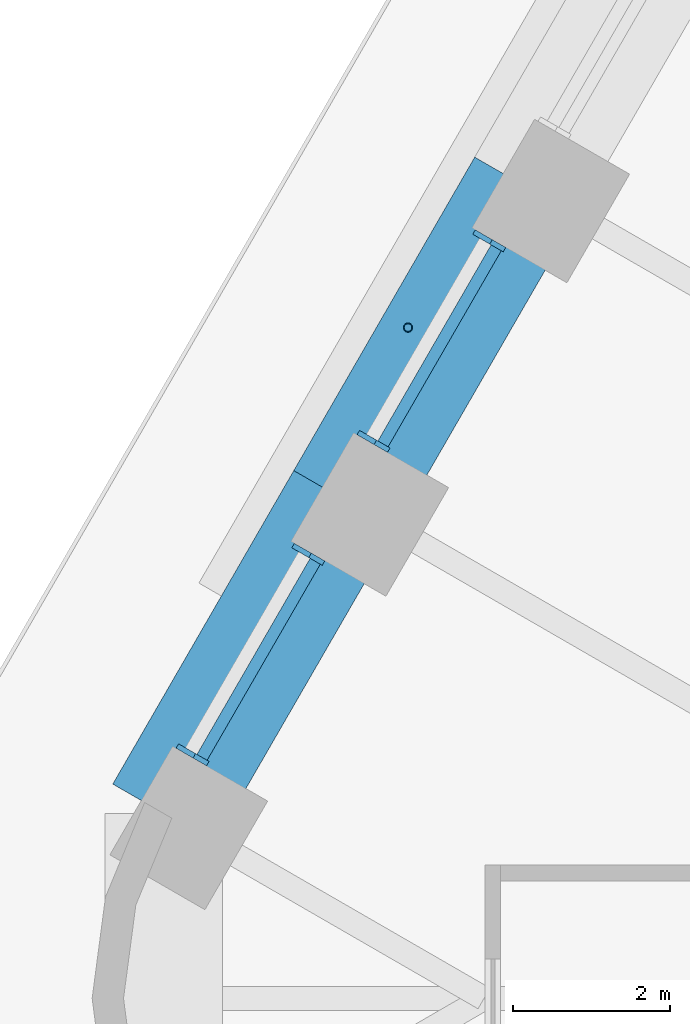
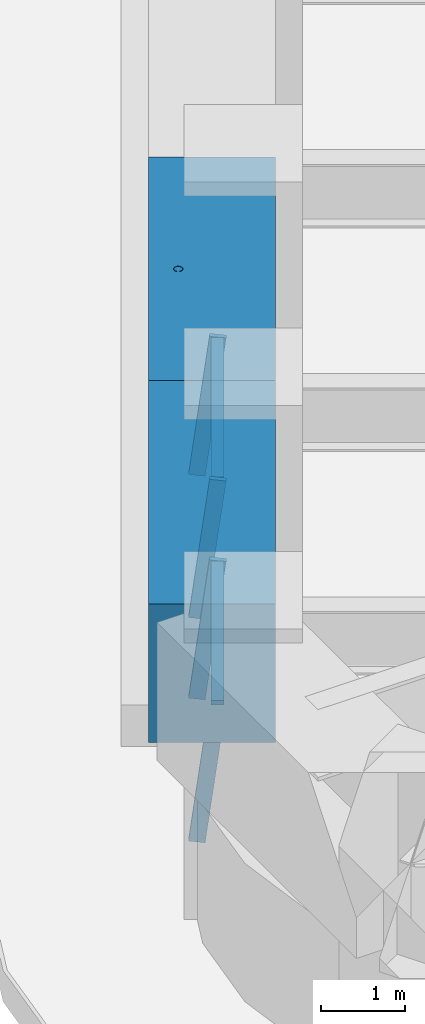
# One storey, part 6 of 20: 7 members, 2 beams, 2 elements without a shape of their own.
"""IFC4 building model written with IfcOpenShell, lengths in metres."""

from ifc_helpers import new_model, si_unit, direction, frame, origin, origin_2d, place, context, subcontext, project, spatial, rectangle, hollow_circle, extrude, material, material_profile, profile_set, type_object, element, aggregate, save


model = new_model("IFC4")

# Units and contexts
model_context = context("Model", 3, precision=1e-05, world=origin(), true_north=direction((0.0, 1.0)))
body_context = subcontext(model_context, "Body", "Model", "MODEL_VIEW")
ifc_project = project(units=[si_unit("LENGTHUNIT", "METRE"), si_unit("AREAUNIT", "SQUARE_METRE"), si_unit("VOLUMEUNIT", "CUBIC_METRE"), si_unit("PLANEANGLEUNIT", "RADIAN"), si_unit("MASSUNIT", "GRAM", prefix="KILO")], contexts=[model_context])

# Site, building, storey
site_placement = place(None, origin())
site = spatial("IfcSite", under=ifc_project, at=site_placement, CompositionType="ELEMENT")
building_placement = place(site_placement, origin())
building = spatial("IfcBuilding", under=site, at=building_placement, Name="Tarfa Lantern Tower", CompositionType="ELEMENT")
storey_placement = place(building_placement, frame((0.0, 0.0, 223.89990234375)))
storey = spatial("IfcBuildingStorey", under=building, at=storey_placement, Name="L50", CompositionType="ELEMENT", Elevation=223.89990234375)

# Curtain wall, members
ifc_material_1 = material(Name="Aluminium framed curtain wall", Category="aluminium")
curtain_wall_type = type_object("IfcCurtainWallType", Name="CW3 CANTED GLAZING HIGH ZONE 2000", PredefinedType="USERDEFINED", material=ifc_material_1)
curtain_wall_1_placement = place(storey_placement, origin())
curtain_wall_1 = element("IfcCurtainWall", 1, at=curtain_wall_1_placement, inside=storey, type_object=curtain_wall_type, Name="CW3 NW L50", ObjectType="CURTAIN WALL", PredefinedType="USERDEFINED")
ifc_material_2 = material(Name="Aluminium mullion", Category="aluminium")
ifc_material_profile_1 = material_profile(ifc_material_2, rectangle(XDim=0.06494140625, YDim=0.199951171875, at=origin_2d()), Name="AL MULLION 65x200")
ifc_profile_set_1 = profile_set([ifc_material_profile_1], Name="Aluminium mullion")
member_type_1 = type_object("IfcMemberType", Name="CWM1 MULLION 65x200", PredefinedType="MULLION", material=ifc_profile_set_1)
member_1_placement = place(storey_placement, frame((-27.75390625, 9.72900390625, 0.0), z_axis=(0.107439978116, -0.062017213975, 0.992275423596), x_axis=(0.499919672301, 0.866071776036, 0.0)))
member_1 = element("IfcMember", 2, at=member_1_placement, type_object=member_type_1, Name="CW3 mullion 1", PredefinedType="MULLION", context=body_context, shape_type="SweptSolid", body=[
    extrude(rectangle(XDim=0.06494140625, YDim=0.199951171875, at=origin_2d()), origin(), (0.0, 0.0, 1.0), 2.015625),
])
member_2_placement = place(storey_placement, frame((-29.230712890625, 7.1708984375, 0.0), z_axis=(0.107439978116, -0.062017213975, 0.992275423596), x_axis=(0.499919672301, 0.866071776036, 0.0)))
member_2 = element("IfcMember", 3, at=member_2_placement, type_object=member_type_1, Name="CW3 mullion 2", PredefinedType="MULLION", context=body_context, shape_type="SweptSolid", body=[
    extrude(rectangle(XDim=0.06494140625, YDim=0.199951171875, at=origin_2d()), origin(), (0.0, 0.0, 1.0), 2.015625),
])

curtain_wall_2_placement = place(storey_placement, origin())
curtain_wall_2 = element("IfcCurtainWall", 4, at=curtain_wall_2_placement, inside=storey, type_object=curtain_wall_type, Name="CW3 NW L50", ObjectType="CURTAIN WALL", PredefinedType="USERDEFINED")
member_3_placement = place(storey_placement, frame((-30.063232421875, 5.72900390625, 0.0), z_axis=(0.107439978116, -0.062017213975, 0.992275423596), x_axis=(0.499919672301, 0.866071776036, 0.0)))
member_3 = element("IfcMember", 5, at=member_3_placement, type_object=member_type_1, Name="CW3 mullion 1", PredefinedType="MULLION", context=body_context, shape_type="SweptSolid", body=[
    extrude(rectangle(XDim=0.06494140625, YDim=0.199951171875, at=origin_2d()), origin(), (0.0, 0.0, 1.0), 2.015625),
])
member_4_placement = place(storey_placement, frame((-31.5400390625, 3.1708984375, 0.0), z_axis=(0.107439978116, -0.062017213975, 0.992275423596), x_axis=(0.499919672301, 0.866071776036, 0.0)))
member_4 = element("IfcMember", 6, at=member_4_placement, type_object=member_type_1, Name="CW3 mullion 2", PredefinedType="MULLION", context=body_context, shape_type="SweptSolid", body=[
    extrude(rectangle(XDim=0.06494140625, YDim=0.199951171875, at=origin_2d()), origin(), (0.0, 0.0, 1.0), 2.015625),
])

# Member
ifc_material_3 = material(Name="Aluminium transom", Category="aluminium")
ifc_material_profile_2 = material_profile(ifc_material_3, rectangle(XDim=0.14990234375, YDim=0.06494140625, at=origin_2d()), Name="AL TRANSOM 150x65")
ifc_profile_set_2 = profile_set([ifc_material_profile_2], Name="Aluminium transom")
member_type_2 = type_object("IfcMemberType", Name="CWT1 TRANSOM 150x65", PredefinedType="USERDEFINED", material=ifc_profile_set_2)
member_5_placement = place(storey_placement, frame((-27.55712890625, 9.577880859375, 1.967529296875), z_axis=(-0.499993141028, -0.866029363778, 0.0), x_axis=(0.866029363778, -0.499993141028, 0.0)))
member_5 = element("IfcMember", 7, at=member_5_placement, type_object=member_type_2, Name="CW3 transom 1.2", ObjectType="TRANSOM", PredefinedType="USERDEFINED", context=body_context, shape_type="SweptSolid", body=[
    extrude(rectangle(XDim=0.14990234375, YDim=0.06494140625, at=origin_2d()), origin(), (0.0, 0.0, 1.0), 2.888671875),
])

aggregate(curtain_wall_1, [member_1, member_2, member_5])

member_6_placement = place(storey_placement, frame((-29.866455078125, 5.577880859375, 1.967529296875), z_axis=(-0.499993141028, -0.866029363778, 0.0), x_axis=(0.866029363778, -0.499993141028, 0.0)))
member_6 = element("IfcMember", 8, at=member_6_placement, type_object=member_type_2, Name="CW3 transom 1.2", ObjectType="TRANSOM", PredefinedType="USERDEFINED", context=body_context, shape_type="SweptSolid", body=[
    extrude(rectangle(XDim=0.14990234375, YDim=0.06494140625, at=origin_2d()), origin(), (0.0, 0.0, 1.0), 2.888671875),
])

aggregate(curtain_wall_2, [member_3, member_4, member_6])

# Beams
ifc_material_4 = material(Name="Concrete C80/95", Category="concrete")
ifc_material_profile_3 = material_profile(ifc_material_4, rectangle(XDim=1.5, YDim=2.0, at=origin_2d()), Name="RC 1500x2000")
ifc_profile_set_3 = profile_set([ifc_material_profile_3], Name="Concrete C80/95")
beam_type = type_object("IfcBeamType", Name="RB3 RC 1500x2000", PredefinedType="BEAM", material=ifc_profile_set_3)
beam_1_placement = place(storey_placement, frame((-27.181640625, 10.360107421875, 3.0), z_axis=(-0.499987836815, -0.866032426089, 0.0), x_axis=(0.866032426089, -0.499987836815, 0.0)))
element("IfcBeam", 9, at=beam_1_placement, inside=storey, type_object=beam_type, Name="Edge beam NW4", PredefinedType="BEAM", context=body_context, shape_type="SweptSolid", body=[
    extrude(rectangle(XDim=1.5, YDim=2.0, at=origin_2d()), origin(), (0.0, 0.0, 1.0), 4.61865234375),
])
beam_2_placement = place(storey_placement, frame((-29.490966796875, 6.360107421875, 3.0), z_axis=(-0.500027479704, -0.866009537788, 0.0), x_axis=(0.866009537788, -0.500027479704, 0.0)))
element("IfcBeam", 10, at=beam_2_placement, inside=storey, type_object=beam_type, Name="Edge beam NW5", PredefinedType="BEAM", context=body_context, shape_type="SweptSolid", body=[
    extrude(rectangle(XDim=1.5, YDim=2.0, at=origin_2d()), origin(), (0.0, 0.0, 1.0), 4.618896484375),
])

# Member
ifc_material_5 = material(Name="Steel S355", Category="steel")
ifc_material_profile_4 = material_profile(ifc_material_5, hollow_circle(Radius=0.05712890625, WallThickness=0.00634765625, at=origin_2d()), Name="CHS114.3x6.3")
ifc_profile_set_4 = profile_set([ifc_material_profile_4], Name="Steel S355")
member_type_3 = type_object("IfcMemberType", Name="TR1 GREEN WALL TRELLIS CHS114.3x6.3", PredefinedType="USERDEFINED", material=ifc_profile_set_4)
member_7_placement = place(storey_placement, frame((-28.682861328125, 8.56005859375, 0.0), z_axis=(0.0, 0.0, 1.0), x_axis=(1.0, 0.0, 0.0)))
element("IfcMember", 11, at=member_7_placement, inside=storey, type_object=member_type_3, Name="Trellis post NW 2", ObjectType="TRELLIS", PredefinedType="USERDEFINED", context=body_context, shape_type="SweptSolid", body=[
    extrude(hollow_circle(Radius=0.05712890625, WallThickness=0.00634765625, at=origin_2d()), origin(), (0.0, 0.0, 1.0), 4.0),
])

save(model, "model.ifc")
